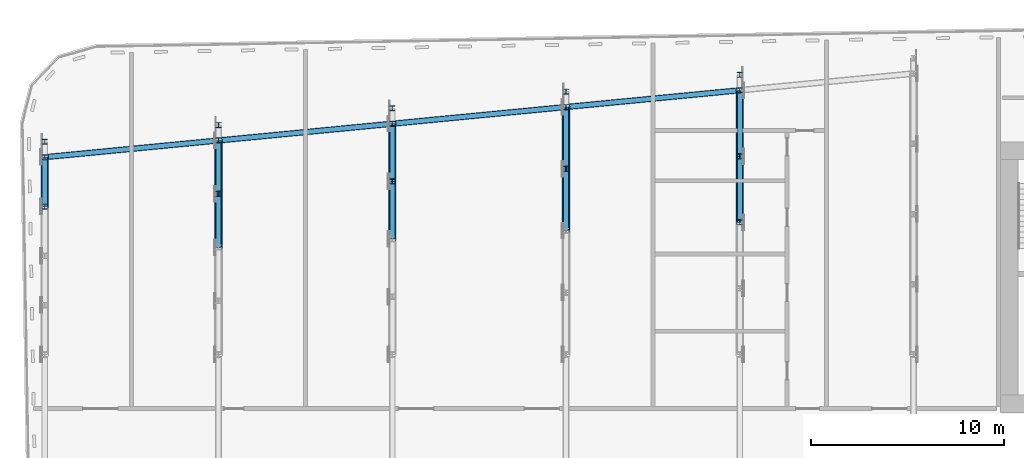
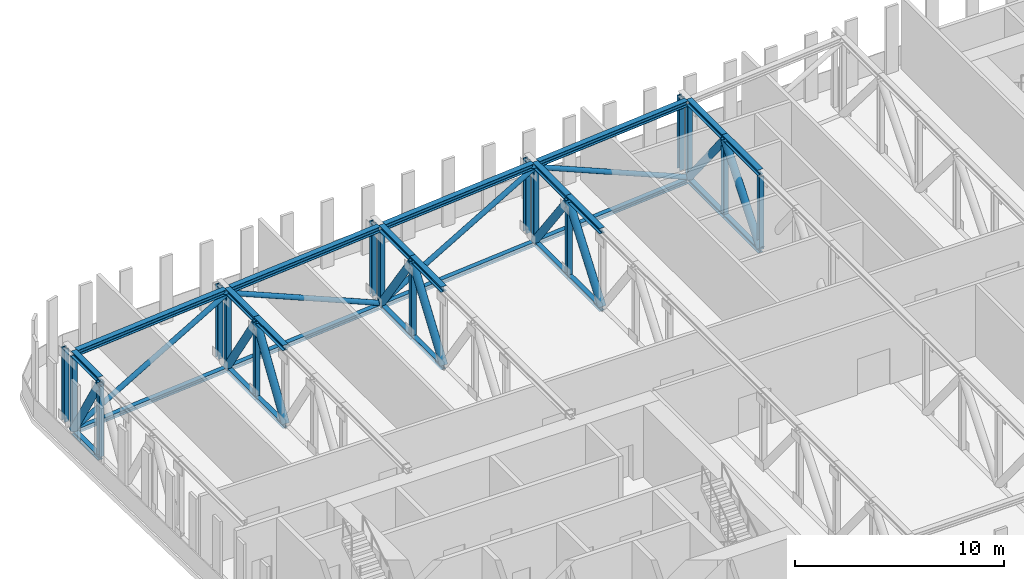
# One storey, part 6 of 26: 55 members.
"""IFC4 building model written with IfcOpenShell, lengths in metres."""

from ifc_helpers import new_model, si_unit, direction, frame, origin, origin_2d, place, context, subcontext, project, spatial, hollow_circle, i_section, extrude, material, material_profile, profile_set, type_object, element, save


model = new_model("IFC4")

# Units and contexts
model_context = context("Model", 3, precision=1e-05, world=origin(), true_north=direction((0.0, 1.0)))
body_context = subcontext(model_context, "Body", "Model", "MODEL_VIEW")
ifc_project = project(units=[si_unit("LENGTHUNIT", "METRE"), si_unit("AREAUNIT", "SQUARE_METRE"), si_unit("VOLUMEUNIT", "CUBIC_METRE"), si_unit("PLANEANGLEUNIT", "RADIAN"), si_unit("MASSUNIT", "GRAM", prefix="KILO")], contexts=[model_context])

# Site, building, storey
site_placement = place(None, origin())
site = spatial("IfcSite", under=ifc_project, at=site_placement, CompositionType="ELEMENT")
building_placement = place(site_placement, origin())
building = spatial("IfcBuilding", under=site, at=building_placement, Name="Kajstack Hotel Tower", CompositionType="ELEMENT")
storey_placement = place(building_placement, frame((0.0, 0.0, 257.300048828125)))
storey = spatial("IfcBuildingStorey", under=building, at=storey_placement, Name="L64", CompositionType="ELEMENT", Elevation=257.300048828125)

# Members
ifc_material = material(Name="Steel S355J2", Category="steel")
ifc_material_profile_1 = material_profile(ifc_material, i_section(OverallWidth=0.260009765625, OverallDepth=0.260009765625, WebThickness=0.010009765625, FlangeThickness=0.017578125, FilletRadius=0.02392578125, at=origin_2d()), Name="HEB 260")
ifc_profile_set_1 = profile_set([ifc_material_profile_1], Name="Steel S355J2")
member_type_1 = type_object("IfcMemberType", Name="Belt truss bottom chord BB5 HEB 260", PredefinedType="CHORD", material=ifc_profile_set_1)
for number, where, z_axis, x_axis, name in (
    (1, (-35.87060546875, 14.73095703125, -0.130126953125), (0.995397612188, 0.095831068294, 0.0), (-0.095831068294, 0.995397612188, 0.0), "S-belt-truss-L64-n01-b"),
    (2, (-26.87060546875, 15.597412109375, -0.130126953125), (0.995394959848, 0.095858614165, 0.0), (-0.095858614165, 0.995394959848, 0.0), "S-belt-truss-L64-n02-b"),
    (3, (-17.87060546875, 16.464111328125, -0.130126953125), (0.995397612188, 0.095831068294, 0.0), (-0.095831068294, 0.995397612188, 0.0), "S-belt-truss-L64-n03-b"),
    (4, (-8.87060546875, 17.330810546875, -0.130126953125), (0.995397612188, 0.095831068294, 0.0), (-0.095831068294, 0.995397612188, 0.0), "S-belt-truss-L64-n04-b"),
):
    element("IfcMember", number, at=place(storey_placement, frame(where, z_axis=z_axis, x_axis=x_axis)), inside=storey, type_object=member_type_1, Name=name, PredefinedType="CHORD", context=body_context, shape_type="SweptSolid", body=[
        extrude(i_section(OverallWidth=0.260009765625, OverallDepth=0.260009765625, WebThickness=0.010009765625, FlangeThickness=0.017578125, FilletRadius=0.02392578125, at=origin_2d()), origin(), (0.0, 0.0, 1.0), 8.78173828125),
    ])
ifc_material_profile_2 = material_profile(ifc_material, i_section(OverallWidth=0.260009765625, OverallDepth=0.260009765625, WebThickness=0.010009765625, FlangeThickness=0.017578125, FilletRadius=0.02392578125, at=origin_2d()), Name="HEB 260")
ifc_profile_set_2 = profile_set([ifc_material_profile_2], Name="Steel S355J2")
member_type_2 = type_object("IfcMemberType", Name="Belt truss bottom chord BC5 HEB 260", PredefinedType="CHORD", material=ifc_profile_set_2)
member_1_placement = place(storey_placement, frame((-36.0, 12.163818359375, -0.130126953125), z_axis=(0.0, 1.0, 0.0), x_axis=(-1.0, 0.0, 0.0)))
element("IfcMember", 5, at=member_1_placement, inside=storey, type_object=member_type_2, Name="S-belt-truss-L64--36p0-1-bc11", PredefinedType="CHORD", context=body_context, shape_type="SweptSolid", body=[
    extrude(i_section(OverallWidth=0.260009765625, OverallDepth=0.260009765625, WebThickness=0.010009765625, FlangeThickness=0.017578125, FilletRadius=0.02392578125, at=origin_2d()), origin(), (0.0, 0.0, 1.0), 2.5546875),
])
for number, where, z_axis, x_axis, name in (
    (6, (-27.0, 10.04248046875, -0.130126953125), (0.0, 1.0, 0.0), (-1.0, 0.0, 0.0), "S-outrigger-truss-L64--27p0-1-bc10"),
    (7, (-27.0, 12.813720703125, -0.130126953125), (0.0, 1.0, 0.0), (-1.0, 0.0, 0.0), "S-outrigger-truss-L64--27p0-1-bc11"),
):
    element("IfcMember", number, at=place(storey_placement, frame(where, z_axis=z_axis, x_axis=x_axis)), inside=storey, type_object=member_type_2, Name=name, PredefinedType="CHORD", context=body_context, shape_type="SweptSolid", body=[
        extrude(i_section(OverallWidth=0.260009765625, OverallDepth=0.260009765625, WebThickness=0.010009765625, FlangeThickness=0.017578125, FilletRadius=0.02392578125, at=origin_2d()), origin(), (0.0, 0.0, 1.0), 2.771240234375),
    ])
member_2_placement = place(storey_placement, frame((-18.0, 10.475830078125, -0.130126953125), z_axis=(0.0, 1.0, 0.0), x_axis=(-1.0, 0.0, 0.0)))
element("IfcMember", 8, at=member_2_placement, inside=storey, type_object=member_type_2, Name="S-outrigger-truss-L64--18p0-1-bc10", PredefinedType="CHORD", context=body_context, shape_type="SweptSolid", body=[
    extrude(i_section(OverallWidth=0.260009765625, OverallDepth=0.260009765625, WebThickness=0.010009765625, FlangeThickness=0.017578125, FilletRadius=0.02392578125, at=origin_2d()), origin(), (0.0, 0.0, 1.0), 2.98779296875),
])
member_3_placement = place(storey_placement, frame((-18.0, 13.463623046875, -0.130126953125), z_axis=(0.0, 1.0, 0.0), x_axis=(-1.0, 0.0, 0.0)))
element("IfcMember", 9, at=member_3_placement, inside=storey, type_object=member_type_2, Name="S-outrigger-truss-L64--18p0-1-bc11", PredefinedType="CHORD", context=body_context, shape_type="SweptSolid", body=[
    extrude(i_section(OverallWidth=0.260009765625, OverallDepth=0.260009765625, WebThickness=0.010009765625, FlangeThickness=0.017578125, FilletRadius=0.02392578125, at=origin_2d()), origin(), (0.0, 0.0, 1.0), 2.988037109375),
])
member_4_placement = place(storey_placement, frame((-9.0, 10.9091796875, -0.130126953125), z_axis=(0.0, 1.0, 0.0), x_axis=(-1.0, 0.0, 0.0)))
element("IfcMember", 10, at=member_4_placement, inside=storey, type_object=member_type_2, Name="S-belt-truss-L64--9p0-1-bc21", PredefinedType="CHORD", context=body_context, shape_type="SweptSolid", body=[
    extrude(i_section(OverallWidth=0.260009765625, OverallDepth=0.260009765625, WebThickness=0.010009765625, FlangeThickness=0.017578125, FilletRadius=0.02392578125, at=origin_2d()), origin(), (0.0, 0.0, 1.0), 3.204345703125),
])
member_5_placement = place(storey_placement, frame((-9.0, 14.113525390625, -0.130126953125), z_axis=(0.0, 1.0, 0.0), x_axis=(-1.0, 0.0, 0.0)))
element("IfcMember", 11, at=member_5_placement, inside=storey, type_object=member_type_2, Name="S-belt-truss-L64--9p0-1-bc22", PredefinedType="CHORD", context=body_context, shape_type="SweptSolid", body=[
    extrude(i_section(OverallWidth=0.260009765625, OverallDepth=0.260009765625, WebThickness=0.010009765625, FlangeThickness=0.017578125, FilletRadius=0.02392578125, at=origin_2d()), origin(), (0.0, 0.0, 1.0), 3.20458984375),
])
member_6_placement = place(storey_placement, frame((0.0, 11.34228515625, -0.130126953125), z_axis=(0.0, 1.0, 0.0), x_axis=(-1.0, 0.0, 0.0)))
element("IfcMember", 12, at=member_6_placement, inside=storey, type_object=member_type_2, Name="S-belt-truss-L64-+0p0-1-bc21", PredefinedType="CHORD", context=body_context, shape_type="SweptSolid", body=[
    extrude(i_section(OverallWidth=0.260009765625, OverallDepth=0.260009765625, WebThickness=0.010009765625, FlangeThickness=0.017578125, FilletRadius=0.02392578125, at=origin_2d()), origin(), (0.0, 0.0, 1.0), 3.42138671875),
])
member_7_placement = place(storey_placement, frame((0.0, 14.763671875, -0.130126953125), z_axis=(0.0, 1.0, 0.0), x_axis=(-1.0, 0.0, 0.0)))
element("IfcMember", 13, at=member_7_placement, inside=storey, type_object=member_type_2, Name="S-belt-truss-L64-+0p0-1-bc22", PredefinedType="CHORD", context=body_context, shape_type="SweptSolid", body=[
    extrude(i_section(OverallWidth=0.260009765625, OverallDepth=0.260009765625, WebThickness=0.010009765625, FlangeThickness=0.017578125, FilletRadius=0.02392578125, at=origin_2d()), origin(), (0.0, 0.0, 1.0), 3.421142578125),
])
ifc_material_profile_3 = material_profile(ifc_material, hollow_circle(Radius=0.136474609375, WallThickness=0.012451171875, at=origin_2d()), Name="CHS 273x12.5")
ifc_profile_set_3 = profile_set([ifc_material_profile_3], Name="Steel S355J2")
member_type_3 = type_object("IfcMemberType", Name="Belt truss diagonal BD5 CHS 273x12.5", PredefinedType="BRACE", material=ifc_profile_set_3)
for number, where, z_axis, x_axis, name in (
    (14, (-36.0, 14.718505859375, 0.0), (0.899687884105, 0.086615459546, 0.427854500224), (-0.095829714309, 0.995397742541, 0.0), "S-belt-truss-L64-n01-d"),
    (15, (-18.0, 16.45166015625, 0.0), (-0.899685981991, -0.086639681968, 0.427853595657), (0.095856468129, -0.995395166513, 0.0), "S-belt-truss-L64-n02-d"),
    (16, (-18.0, 16.45166015625, 0.0), (0.899687884105, 0.086615459546, 0.427854500224), (-0.095829714309, 0.995397742541, 0.0), "S-belt-truss-L64-n03-d"),
    (17, (0.0, 18.184814453125, 0.0), (-0.899685981991, -0.086639681968, 0.427853595657), (0.095856468129, -0.995395166513, 0.0), "S-belt-truss-L64-n04-d"),
):
    element("IfcMember", number, at=place(storey_placement, frame(where, z_axis=z_axis, x_axis=x_axis)), inside=storey, type_object=member_type_3, Name=name, PredefinedType="BRACE", context=body_context, shape_type="SweptSolid", body=[
        extrude(hollow_circle(Radius=0.136474609375, WallThickness=0.012451171875, at=origin_2d()), origin(), (0.0, 0.0, 1.0), 10.00341796875),
    ])
ifc_material_profile_4 = material_profile(ifc_material, hollow_circle(Radius=0.203125, WallThickness=0.01611328125, at=origin_2d()), Name="CHS 406.4x16")
ifc_profile_set_4 = profile_set([ifc_material_profile_4], Name="Steel S355J2")
member_type_4 = type_object("IfcMemberType", Name="Belt truss diagonal DG5 CHS 406.4x16", PredefinedType="BRACE", material=ifc_profile_set_4)
member_8_placement = place(storey_placement, frame((-36.0, 14.718505859375, 0.0), z_axis=(0.0, -0.51252799478, 0.85867051572), x_axis=(1.0, 0.0, 0.0)))
element("IfcMember", 18, at=member_8_placement, inside=storey, type_object=member_type_4, Name="S-belt-truss-L64--36p0-1-dg22", PredefinedType="BRACE", context=body_context, shape_type="SweptSolid", body=[
    extrude(hollow_circle(Radius=0.203125, WallThickness=0.01611328125, at=origin_2d()), origin(), (0.0, 0.0, 1.0), 4.984375),
])
for number, where, z_axis, x_axis, name in (
    (19, (-27.0, 10.04248046875, 0.0), (0.0, 0.543501404994, 0.839408257506), (-1.0, 0.0, 0.0), "S-outrigger-truss-L64--27p0-1-dg21"),
    (20, (-27.0, 15.5849609375, 0.0), (0.0, -0.543501404994, 0.839408257506), (1.0, 0.0, 0.0), "S-outrigger-truss-L64--27p0-1-dg22"),
):
    element("IfcMember", number, at=place(storey_placement, frame(where, z_axis=z_axis, x_axis=x_axis)), inside=storey, type_object=member_type_4, Name=name, PredefinedType="BRACE", context=body_context, shape_type="SweptSolid", body=[
        extrude(hollow_circle(Radius=0.203125, WallThickness=0.01611328125, at=origin_2d()), origin(), (0.0, 0.0, 1.0), 5.098876953125),
    ])
member_9_placement = place(storey_placement, frame((-18.0, 10.475830078125, 0.0), z_axis=(0.0, 0.572403987642, 0.819971752521), x_axis=(-1.0, 0.0, 0.0)))
element("IfcMember", 21, at=member_9_placement, inside=storey, type_object=member_type_4, Name="S-outrigger-truss-L64--18p0-1-dg21", PredefinedType="BRACE", context=body_context, shape_type="SweptSolid", body=[
    extrude(hollow_circle(Radius=0.203125, WallThickness=0.01611328125, at=origin_2d()), origin(), (0.0, 0.0, 1.0), 5.2197265625),
])
member_10_placement = place(storey_placement, frame((-18.0, 16.45166015625, 0.0), z_axis=(0.0, -0.572435434158, 0.819949799512), x_axis=(1.0, 0.0, 0.0)))
element("IfcMember", 22, at=member_10_placement, inside=storey, type_object=member_type_4, Name="S-outrigger-truss-L64--18p0-1-dg22", PredefinedType="BRACE", context=body_context, shape_type="SweptSolid", body=[
    extrude(hollow_circle(Radius=0.203125, WallThickness=0.01611328125, at=origin_2d()), origin(), (0.0, 0.0, 1.0), 5.219970703125),
])
for number, where, z_axis, x_axis, name in (
    (23, (-9.0, 10.9091796875, 0.0), (0.0, 0.599320325581, 0.800509304972), (-1.0, 0.0, 0.0), "S-belt-truss-L64--9p0-1-dg42"),
    (24, (-9.0, 17.318115234375, 0.0), (0.0, -0.599349585602, 0.800487397926), (1.0, 0.0, 0.0), "S-belt-truss-L64--9p0-1-dg43"),
):
    element("IfcMember", number, at=place(storey_placement, frame(where, z_axis=z_axis, x_axis=x_axis)), inside=storey, type_object=member_type_4, Name=name, PredefinedType="BRACE", context=body_context, shape_type="SweptSolid", body=[
        extrude(hollow_circle(Radius=0.203125, WallThickness=0.01611328125, at=origin_2d()), origin(), (0.0, 0.0, 1.0), 5.3466796875),
    ])
member_11_placement = place(storey_placement, frame((0.0, 11.34228515625, 0.0), z_axis=(0.0, 0.624401588804, 0.781103486037), x_axis=(-1.0, 0.0, 0.0)))
element("IfcMember", 25, at=member_11_placement, inside=storey, type_object=member_type_4, Name="S-belt-truss-L64-+0p0-1-dg42", PredefinedType="BRACE", context=body_context, shape_type="SweptSolid", body=[
    extrude(hollow_circle(Radius=0.203125, WallThickness=0.01611328125, at=origin_2d()), origin(), (0.0, 0.0, 1.0), 5.4794921875),
])
member_12_placement = place(storey_placement, frame((0.0, 18.184814453125, 0.0), z_axis=(0.0, -0.624374403314, 0.781125216906), x_axis=(1.0, 0.0, 0.0)))
element("IfcMember", 26, at=member_12_placement, inside=storey, type_object=member_type_4, Name="S-belt-truss-L64-+0p0-1-dg43", PredefinedType="BRACE", context=body_context, shape_type="SweptSolid", body=[
    extrude(hollow_circle(Radius=0.203125, WallThickness=0.01611328125, at=origin_2d()), origin(), (0.0, 0.0, 1.0), 5.479248046875),
])
ifc_material_profile_5 = material_profile(ifc_material, i_section(OverallWidth=0.260009765625, OverallDepth=0.260009765625, WebThickness=0.010009765625, FlangeThickness=0.017578125, FilletRadius=0.02392578125, at=origin_2d()), Name="HEB 260")
ifc_profile_set_5 = profile_set([ifc_material_profile_5], Name="Steel S355J2")
member_type_5 = type_object("IfcMemberType", Name="Belt truss post PO5 HEB 260", PredefinedType="POST", material=ifc_profile_set_5)
for number, where, z_axis, x_axis, name in (
    (27, (-36.0, 12.163818359375, 0.0), (0.0, 0.0, 1.0), (1.0, 0.0, 0.0), "S-belt-truss-L64--36p0-1-po16"),
    (28, (-36.0, 14.718505859375, 0.0), (0.0, 0.0, 1.0), (1.0, 0.0, 0.0), "S-belt-truss-L64--36p0-1-po17"),
    (29, (-36.0, 15.518310546875, 0.0), (0.0, 0.0, 1.0), (1.0, 0.0, 0.0), "S-belt-truss-L64--36p0-1-po18"),
    (30, (-27.0, 12.813720703125, 0.0), (0.0, 0.0, 1.0), (1.0, 0.0, 0.0), "S-outrigger-truss-L64--27p0-1-po16"),
    (31, (-27.0, 15.5849609375, 0.0), (0.0, 0.0, 1.0), (1.0, 0.0, 0.0), "S-outrigger-truss-L64--27p0-1-po17"),
    (32, (-27.0, 16.385009765625, 0.0), (0.0, 0.0, 1.0), (1.0, 0.0, 0.0), "S-outrigger-truss-L64--27p0-1-po18"),
    (33, (-18.0, 13.463623046875, 0.0), (0.0, 0.0, 1.0), (1.0, 0.0, 0.0), "S-outrigger-truss-L64--18p0-1-po16"),
    (34, (-18.0, 16.45166015625, 0.0), (0.0, 0.0, 1.0), (1.0, 0.0, 0.0), "S-outrigger-truss-L64--18p0-1-po17"),
    (35, (-18.0, 17.251708984375, 0.0), (0.0, 0.0, 1.0), (1.0, 0.0, 0.0), "S-outrigger-truss-L64--18p0-1-po18"),
    (36, (-9.0, 14.113525390625, 0.0), (0.0, 0.0, 1.0), (1.0, 0.0, 0.0), "S-belt-truss-L64--9p0-1-po33"),
    (37, (-9.0, 17.318115234375, 0.0), (0.0, 0.0, 1.0), (1.0, 0.0, 0.0), "S-belt-truss-L64--9p0-1-po34"),
    (38, (-9.0, 18.1181640625, 0.0), (0.0, 0.0, 1.0), (1.0, 0.0, 0.0), "S-belt-truss-L64--9p0-1-po35"),
    (39, (0.0, 11.34228515625, 0.0), (0.0, 0.0, 1.0), (1.0, 0.0, 0.0), "S-belt-truss-L64-+0p0-1-po32"),
    (40, (0.0, 14.763671875, 0.0), (0.0, 0.0, 1.0), (1.0, 0.0, 0.0), "S-belt-truss-L64-+0p0-1-po33"),
    (41, (0.0, 18.184814453125, 0.0), (0.0, 0.0, 1.0), (1.0, 0.0, 0.0), "S-belt-truss-L64-+0p0-1-po34"),
    (42, (0.0, 18.98486328125, 0.0), (0.0, 0.0, 1.0), (1.0, 0.0, 0.0), "S-belt-truss-L64-+0p0-1-po35"),
):
    element("IfcMember", number, at=place(storey_placement, frame(where, z_axis=z_axis, x_axis=x_axis)), inside=storey, type_object=member_type_5, Name=name, PredefinedType="POST", context=body_context, shape_type="SweptSolid", body=[
        extrude(i_section(OverallWidth=0.260009765625, OverallDepth=0.260009765625, WebThickness=0.010009765625, FlangeThickness=0.017578125, FilletRadius=0.02392578125, at=origin_2d()), origin(), (0.0, 0.0, 1.0), 4.280029296875),
    ])
ifc_material_profile_6 = material_profile(ifc_material, i_section(OverallWidth=0.300048828125, OverallDepth=0.320068359375, WebThickness=0.011474609375, FlangeThickness=0.0205078125, FilletRadius=0.027099609375, at=origin_2d()), Name="HEB 320")
ifc_profile_set_6 = profile_set([ifc_material_profile_6], Name="Steel S355J2")
member_type_6 = type_object("IfcMemberType", Name="Belt truss top chord BT5 HEB 320", PredefinedType="CHORD", material=ifc_profile_set_6)
for number, where, z_axis, x_axis, name in (
    (43, (-35.8505859375, 14.73291015625, 4.43994140625), (0.995398174412, 0.095825228294, 0.0), (-0.095825228294, 0.995398174412, 0.0), "S-belt-truss-L64-n01-t"),
    (44, (-26.8505859375, 15.599365234375, 4.43994140625), (0.995395510024, 0.095852900965, 0.0), (-0.095852900965, 0.995395510024, 0.0), "S-belt-truss-L64-n02-t"),
    (45, (-17.8505859375, 16.466064453125, 4.43994140625), (0.995398174412, 0.095825228294, 0.0), (-0.095825228294, 0.995398174412, 0.0), "S-belt-truss-L64-n03-t"),
    (46, (-8.8505859375, 17.33251953125, 4.43994140625), (0.995395510024, 0.095852900965, 0.0), (-0.095852900965, 0.995395510024, 0.0), "S-belt-truss-L64-n04-t"),
):
    element("IfcMember", number, at=place(storey_placement, frame(where, z_axis=z_axis, x_axis=x_axis)), inside=storey, type_object=member_type_6, Name=name, PredefinedType="CHORD", context=body_context, shape_type="SweptSolid", body=[
        extrude(i_section(OverallWidth=0.300048828125, OverallDepth=0.320068359375, WebThickness=0.011474609375, FlangeThickness=0.0205078125, FilletRadius=0.027099609375, at=origin_2d()), origin(), (0.0, 0.0, 1.0), 8.741455078125),
    ])
ifc_material_profile_7 = material_profile(ifc_material, i_section(OverallWidth=0.300048828125, OverallDepth=0.320068359375, WebThickness=0.011474609375, FlangeThickness=0.0205078125, FilletRadius=0.027099609375, at=origin_2d()), Name="HEB 320")
ifc_profile_set_7 = profile_set([ifc_material_profile_7], Name="Steel S355J2")
member_type_7 = type_object("IfcMemberType", Name="Belt truss top chord TC5 HEB 320", PredefinedType="CHORD", material=ifc_profile_set_7)
member_13_placement = place(storey_placement, frame((-36.0, 12.163818359375, 4.43994140625), z_axis=(0.0, 1.0, 0.0), x_axis=(-1.0, 0.0, 0.0)))
element("IfcMember", 47, at=member_13_placement, inside=storey, type_object=member_type_7, Name="S-belt-truss-L64--36p0-1-tc5", PredefinedType="CHORD", context=body_context, shape_type="SweptSolid", body=[
    extrude(i_section(OverallWidth=0.300048828125, OverallDepth=0.320068359375, WebThickness=0.011474609375, FlangeThickness=0.0205078125, FilletRadius=0.027099609375, at=origin_2d()), origin(), (0.0, 0.0, 1.0), 2.5546875),
])
for number, where, z_axis, x_axis, name in (
    (48, (-27.0, 10.04248046875, 4.43994140625), (0.0, 1.0, 0.0), (-1.0, 0.0, 0.0), "S-outrigger-truss-L64--27p0-1-tc4"),
    (49, (-27.0, 12.813720703125, 4.43994140625), (0.0, 1.0, 0.0), (-1.0, 0.0, 0.0), "S-outrigger-truss-L64--27p0-1-tc5"),
):
    element("IfcMember", number, at=place(storey_placement, frame(where, z_axis=z_axis, x_axis=x_axis)), inside=storey, type_object=member_type_7, Name=name, PredefinedType="CHORD", context=body_context, shape_type="SweptSolid", body=[
        extrude(i_section(OverallWidth=0.300048828125, OverallDepth=0.320068359375, WebThickness=0.011474609375, FlangeThickness=0.0205078125, FilletRadius=0.027099609375, at=origin_2d()), origin(), (0.0, 0.0, 1.0), 2.771240234375),
    ])
member_14_placement = place(storey_placement, frame((-18.0, 10.475830078125, 4.43994140625), z_axis=(0.0, 1.0, 0.0), x_axis=(-1.0, 0.0, 0.0)))
element("IfcMember", 50, at=member_14_placement, inside=storey, type_object=member_type_7, Name="S-outrigger-truss-L64--18p0-1-tc4", PredefinedType="CHORD", context=body_context, shape_type="SweptSolid", body=[
    extrude(i_section(OverallWidth=0.300048828125, OverallDepth=0.320068359375, WebThickness=0.011474609375, FlangeThickness=0.0205078125, FilletRadius=0.027099609375, at=origin_2d()), origin(), (0.0, 0.0, 1.0), 2.98779296875),
])
member_15_placement = place(storey_placement, frame((-18.0, 13.463623046875, 4.43994140625), z_axis=(0.0, 1.0, 0.0), x_axis=(-1.0, 0.0, 0.0)))
element("IfcMember", 51, at=member_15_placement, inside=storey, type_object=member_type_7, Name="S-outrigger-truss-L64--18p0-1-tc5", PredefinedType="CHORD", context=body_context, shape_type="SweptSolid", body=[
    extrude(i_section(OverallWidth=0.300048828125, OverallDepth=0.320068359375, WebThickness=0.011474609375, FlangeThickness=0.0205078125, FilletRadius=0.027099609375, at=origin_2d()), origin(), (0.0, 0.0, 1.0), 2.988037109375),
])
member_16_placement = place(storey_placement, frame((-9.0, 10.9091796875, 4.43994140625), z_axis=(0.0, 1.0, 0.0), x_axis=(-1.0, 0.0, 0.0)))
element("IfcMember", 52, at=member_16_placement, inside=storey, type_object=member_type_7, Name="S-belt-truss-L64--9p0-1-tc10", PredefinedType="CHORD", context=body_context, shape_type="SweptSolid", body=[
    extrude(i_section(OverallWidth=0.300048828125, OverallDepth=0.320068359375, WebThickness=0.011474609375, FlangeThickness=0.0205078125, FilletRadius=0.027099609375, at=origin_2d()), origin(), (0.0, 0.0, 1.0), 3.204345703125),
])
member_17_placement = place(storey_placement, frame((-9.0, 14.113525390625, 4.43994140625), z_axis=(0.0, 1.0, 0.0), x_axis=(-1.0, 0.0, 0.0)))
element("IfcMember", 53, at=member_17_placement, inside=storey, type_object=member_type_7, Name="S-belt-truss-L64--9p0-1-tc11", PredefinedType="CHORD", context=body_context, shape_type="SweptSolid", body=[
    extrude(i_section(OverallWidth=0.300048828125, OverallDepth=0.320068359375, WebThickness=0.011474609375, FlangeThickness=0.0205078125, FilletRadius=0.027099609375, at=origin_2d()), origin(), (0.0, 0.0, 1.0), 3.20458984375),
])
member_18_placement = place(storey_placement, frame((0.0, 11.34228515625, 4.43994140625), z_axis=(0.0, 1.0, 0.0), x_axis=(-1.0, 0.0, 0.0)))
element("IfcMember", 54, at=member_18_placement, inside=storey, type_object=member_type_7, Name="S-belt-truss-L64-+0p0-1-tc10", PredefinedType="CHORD", context=body_context, shape_type="SweptSolid", body=[
    extrude(i_section(OverallWidth=0.300048828125, OverallDepth=0.320068359375, WebThickness=0.011474609375, FlangeThickness=0.0205078125, FilletRadius=0.027099609375, at=origin_2d()), origin(), (0.0, 0.0, 1.0), 3.42138671875),
])
member_19_placement = place(storey_placement, frame((0.0, 14.763671875, 4.43994140625), z_axis=(0.0, 1.0, 0.0), x_axis=(-1.0, 0.0, 0.0)))
element("IfcMember", 55, at=member_19_placement, inside=storey, type_object=member_type_7, Name="S-belt-truss-L64-+0p0-1-tc11", PredefinedType="CHORD", context=body_context, shape_type="SweptSolid", body=[
    extrude(i_section(OverallWidth=0.300048828125, OverallDepth=0.320068359375, WebThickness=0.011474609375, FlangeThickness=0.0205078125, FilletRadius=0.027099609375, at=origin_2d()), origin(), (0.0, 0.0, 1.0), 3.421142578125),
])

save(model, "model.ifc")
